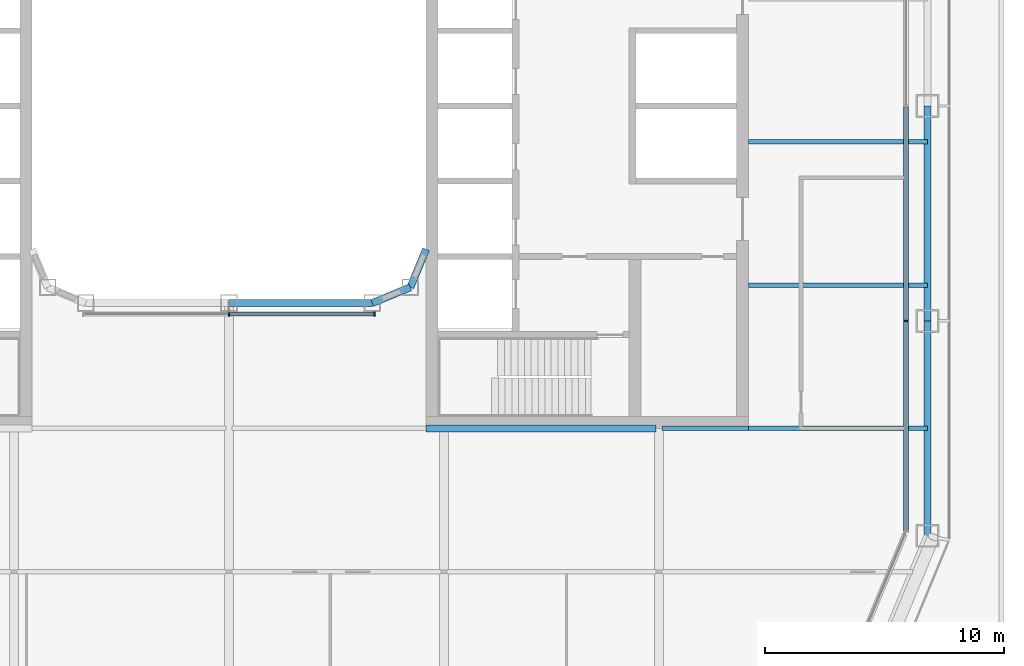
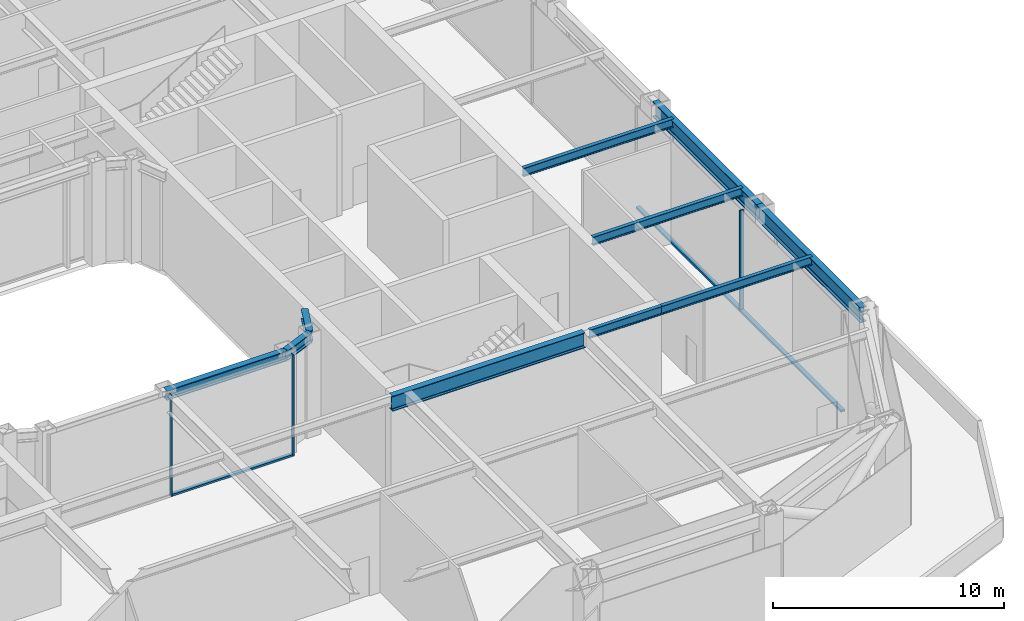
# One storey, part 5 of 21: 10 beams, 6 members, 2 elements without a shape of their own.
"""IFC4 building model written with IfcOpenShell, lengths in metres."""

from ifc_helpers import new_model, si_unit, direction, frame, origin, origin_2d, place, context, subcontext, project, spatial, rectangle, i_section, extrude, material, layer, layer_set, material_profile, profile_set, type_object, element, aggregate, save


model = new_model("IFC4")

# Units and contexts
model_context = context("Model", 3, precision=1e-05, world=origin(), true_north=direction((0.0, 1.0)))
body_context = subcontext(model_context, "Body", "Model", "MODEL_VIEW")
ifc_project = project(units=[si_unit("LENGTHUNIT", "METRE"), si_unit("AREAUNIT", "SQUARE_METRE"), si_unit("VOLUMEUNIT", "CUBIC_METRE"), si_unit("PLANEANGLEUNIT", "RADIAN"), si_unit("MASSUNIT", "GRAM", prefix="KILO")], contexts=[model_context])

# Site, building, storey
site_placement = place(None, origin())
site = spatial("IfcSite", under=ifc_project, at=site_placement, CompositionType="ELEMENT")
building_placement = place(site_placement, origin())
building = spatial("IfcBuilding", under=site, at=building_placement, Name="Siwar Civic Tower", CompositionType="ELEMENT")
storey_placement = place(building_placement, frame((0.0, 0.0, 99.199951171875)))
storey = spatial("IfcBuildingStorey", under=building, at=storey_placement, Name="L21", CompositionType="ELEMENT", Elevation=99.199951171875)

# Curtain wall, member
ifc_material_1 = material(Name="Aluminium and glass", Category="aluminium")
ifc_layer_1 = layer(ifc_material_1, 0.199951171875)
ifc_layer_set_1 = layer_set([ifc_layer_1], Name="Aluminium and glass")
curtain_wall_type_1 = type_object("IfcCurtainWallType", Name="ENV-CW-B", PredefinedType="NOTDEFINED", material=ifc_layer_set_1)
curtain_wall_1_placement = place(storey_placement, origin())
curtain_wall_1 = element("IfcCurtainWall", 1, at=curtain_wall_1_placement, inside=storey, type_object=curtain_wall_type_1, Name="Curtain wall B E", PredefinedType="NOTDEFINED")
ifc_material_2 = material(Name="Aluminium 6063-T6", Category="aluminium")
ifc_material_profile_1 = material_profile(ifc_material_2, rectangle(XDim=0.199951171875, YDim=0.06494140625, at=origin_2d()), Name="AL 200x65")
ifc_profile_set_1 = profile_set([ifc_material_profile_1], Name="Aluminium 6063-T6")
member_type_1 = type_object("IfcMemberType", Name="ENV-MULLION-B", PredefinedType="MULLION", material=ifc_profile_set_1)
member_1_placement = place(storey_placement, frame((28.35009765625, -9.0, 0.0), z_axis=(0.0, 0.0, 1.0), x_axis=(-1.0, 0.0, 0.0)))
member_1 = element("IfcMember", 2, at=member_1_placement, type_object=member_type_1, Name="Mullion B E 2", PredefinedType="MULLION", context=body_context, shape_type="SweptSolid", body=[
    extrude(rectangle(XDim=0.199951171875, YDim=0.06494140625, at=origin_2d()), origin(), (0.0, 0.0, 1.0), 5.35009765625),
])

# Curtain wall, members
ifc_material_3 = material(Name="Aluminium and glass", Category="aluminium")
ifc_layer_2 = layer(ifc_material_3, 0.179931640625)
ifc_layer_set_2 = layer_set([ifc_layer_2], Name="Aluminium and glass")
curtain_wall_type_2 = type_object("IfcCurtainWallType", Name="ENV-CW-W", PredefinedType="NOTDEFINED", material=ifc_layer_set_2)
curtain_wall_2_placement = place(storey_placement, origin())
curtain_wall_2 = element("IfcCurtainWall", 3, at=curtain_wall_2_placement, inside=storey, type_object=curtain_wall_type_2, Name="Curtain wall W WS", PredefinedType="NOTDEFINED")
ifc_material_4 = material(Name="Aluminium 6063-T6", Category="aluminium")
ifc_material_profile_2 = material_profile(ifc_material_4, rectangle(XDim=0.179931640625, YDim=0.06005859375, at=origin_2d()), Name="AL 180x60")
ifc_profile_set_2 = profile_set([ifc_material_profile_2], Name="Aluminium 6063-T6")
member_type_2 = type_object("IfcMemberType", Name="ENV-MULLION-W", PredefinedType="MULLION", material=ifc_profile_set_2)
member_2_placement = place(storey_placement, frame((0.0, -8.7099609375, 0.0), z_axis=(0.0, 0.0, 1.0), x_axis=(0.0, 1.0, 0.0)))
member_2 = element("IfcMember", 4, at=member_2_placement, type_object=member_type_2, Name="Mullion W WS 2", PredefinedType="MULLION", context=body_context, shape_type="SweptSolid", body=[
    extrude(rectangle(XDim=0.179931640625, YDim=0.06005859375, at=origin_2d()), origin(), (0.0, 0.0, 1.0), 5.35009765625),
])
member_3_placement = place(storey_placement, frame((6.091552734375, -8.7099609375, 0.0), z_axis=(0.0, 0.0, 1.0), x_axis=(0.0, 1.0, 0.0)))
member_3 = element("IfcMember", 5, at=member_3_placement, type_object=member_type_2, Name="Mullion W WS 3", PredefinedType="MULLION", context=body_context, shape_type="SweptSolid", body=[
    extrude(rectangle(XDim=0.179931640625, YDim=0.06005859375, at=origin_2d()), origin(), (0.0, 0.0, 1.0), 5.35009765625),
])

# Member
ifc_material_5 = material(Name="Aluminium 6063-T6", Category="aluminium")
ifc_material_profile_3 = material_profile(ifc_material_5, rectangle(XDim=0.199951171875, YDim=0.110107421875, at=origin_2d()), Name="AL 200x110")
ifc_profile_set_3 = profile_set([ifc_material_profile_3], Name="Aluminium 6063-T6")
member_type_3 = type_object("IfcMemberType", Name="ENV-TRANSOM-B", PredefinedType="USERDEFINED", material=ifc_profile_set_3)
member_4_placement = place(storey_placement, frame((28.35009765625, -17.78857421875, 0.054931640625), z_axis=(0.0, 1.0, 0.0), x_axis=(-1.0, 0.0, 0.0)))
member_4 = element("IfcMember", 6, at=member_4_placement, type_object=member_type_3, Name="Transom B E 1", ObjectType="TRANSOM", PredefinedType="USERDEFINED", context=body_context, shape_type="SweptSolid", body=[
    extrude(rectangle(XDim=0.199951171875, YDim=0.110107421875, at=origin_2d()), origin(), (0.0, 0.0, 1.0), 8.756103515625),
])

member_5_placement = place(storey_placement, frame((28.35009765625, -8.967529296875, 0.054931640625), z_axis=(0.0, 1.0, 0.0), x_axis=(-1.0, 0.0, 0.0)))
member_5 = element("IfcMember", 7, at=member_5_placement, type_object=member_type_3, Name="Transom B E 2", ObjectType="TRANSOM", PredefinedType="USERDEFINED", context=body_context, shape_type="SweptSolid", body=[
    extrude(rectangle(XDim=0.199951171875, YDim=0.110107421875, at=origin_2d()), origin(), (0.0, 0.0, 1.0), 8.93505859375),
])

aggregate(curtain_wall_1, [member_1, member_4, member_5])

ifc_material_6 = material(Name="Aluminium 6063-T6", Category="aluminium")
ifc_material_profile_4 = material_profile(ifc_material_6, rectangle(XDim=0.179931640625, YDim=0.10009765625, at=origin_2d()), Name="AL 180x100")
ifc_profile_set_4 = profile_set([ifc_material_profile_4], Name="Aluminium 6063-T6")
member_type_4 = type_object("IfcMemberType", Name="ENV-TRANSOM-W", PredefinedType="USERDEFINED", material=ifc_profile_set_4)
member_6_placement = place(storey_placement, frame((0.030029296875, -8.7099609375, 0.050048828125), z_axis=(1.0, 0.0, 0.0), x_axis=(0.0, 1.0, 0.0)))
member_6 = element("IfcMember", 8, at=member_6_placement, type_object=member_type_4, Name="Transom W WS 2", ObjectType="TRANSOM", PredefinedType="USERDEFINED", context=body_context, shape_type="SweptSolid", body=[
    extrude(rectangle(XDim=0.179931640625, YDim=0.10009765625, at=origin_2d()), origin(), (0.0, 0.0, 1.0), 6.031494140625),
])

aggregate(curtain_wall_2, [member_2, member_3, member_6])

# Beams
ifc_material_7 = material(Name="Steel S355", Category="steel")
ifc_material_profile_5 = material_profile(ifc_material_7, i_section(OverallWidth=0.18994140625, OverallDepth=0.449951171875, WebThickness=0.009521484375, FlangeThickness=0.0146484375, FilletRadius=0.02099609375, at=origin_2d()), Name="IPE450")
ifc_profile_set_5 = profile_set([ifc_material_profile_5], Name="Steel S355")
beam_type_1 = type_object("IfcBeamType", Name="STR-FB-IPE450", PredefinedType="JOIST", material=ifc_profile_set_5)
beam_1_placement = place(storey_placement, frame((18.1298828125, -13.5, 5.125), z_axis=(1.0, 0.0, 0.0), x_axis=(0.0, 1.0, 0.0)))
element("IfcBeam", 9, at=beam_1_placement, inside=storey, type_object=beam_type_1, Name="L21/bm/F019", PredefinedType="JOIST", context=body_context, shape_type="SweptSolid", body=[
    extrude(i_section(OverallWidth=0.18994140625, OverallDepth=0.449951171875, WebThickness=0.009521484375, FlangeThickness=0.0146484375, FilletRadius=0.02099609375, at=origin_2d()), origin(), (0.0, 0.0, 1.0), 3.6201171875),
])
for number, where, z_axis, x_axis, name in (
    (10, (21.75, -13.5, 5.125), (1.0, 0.0, 0.0), (0.0, 1.0, 0.0), "L21/bm/F020"),
    (11, (21.75, -7.5, 5.125), (1.0, 0.0, 0.0), (0.0, 1.0, 0.0), "L21/bm/F022"),
    (12, (21.75, -1.5, 5.125), (1.0, 0.0, 0.0), (0.0, 1.0, 0.0), "L21/bm/F024"),
):
    element("IfcBeam", number, at=place(storey_placement, frame(where, z_axis=z_axis, x_axis=x_axis)), inside=storey, type_object=beam_type_1, Name=name, PredefinedType="JOIST", context=body_context, shape_type="SweptSolid", body=[
        extrude(i_section(OverallWidth=0.18994140625, OverallDepth=0.449951171875, WebThickness=0.009521484375, FlangeThickness=0.0146484375, FilletRadius=0.02099609375, at=origin_2d()), origin(), (0.0, 0.0, 1.0), 7.5),
    ])
ifc_material_8 = material(Name="Steel S355", Category="steel")
ifc_material_profile_6 = material_profile(ifc_material_8, i_section(OverallWidth=0.300048828125, OverallDepth=0.800048828125, WebThickness=0.017578125, FlangeThickness=0.032958984375, FilletRadius=0.030029296875, at=origin_2d()), Name="HEB800")
ifc_profile_set_6 = profile_set([ifc_material_profile_6], Name="Steel S355")
beam_type_2 = type_object("IfcBeamType", Name="STR-PG-HEB800", PredefinedType="BEAM", material=ifc_profile_set_6)
beam_2_placement = place(storey_placement, frame((8.25, -13.5, 4.949951171875), z_axis=(1.0, 0.0, 0.0), x_axis=(0.0, 1.0, 0.0)))
element("IfcBeam", 13, at=beam_2_placement, inside=storey, type_object=beam_type_2, Name="L21/bm/F018", PredefinedType="BEAM", context=body_context, shape_type="SweptSolid", body=[
    extrude(i_section(OverallWidth=0.300048828125, OverallDepth=0.800048828125, WebThickness=0.017578125, FlangeThickness=0.032958984375, FilletRadius=0.030029296875, at=origin_2d()), origin(), (0.0, 0.0, 1.0), 9.6201171875),
])
ifc_material_9 = material(Name="Steel S355", Category="steel")
ifc_material_profile_7 = material_profile(ifc_material_9, i_section(OverallWidth=0.305908203125, OverallDepth=0.52392578125, WebThickness=0.02099609375, FlangeThickness=0.0400390625, FilletRadius=0.027099609375, at=origin_2d()), Name="HEM500")
ifc_profile_set_7 = profile_set([ifc_material_profile_7], Name="Steel S355")
beam_type_3 = type_object("IfcBeamType", Name="STR-RB-HEM500", PredefinedType="BEAM", material=ifc_profile_set_7)
beam_3_placement = place(storey_placement, frame((0.0, -8.25, 5.088134765625), z_axis=(1.0, 0.0, 0.0), x_axis=(0.0, 1.0, 0.0)))
element("IfcBeam", 14, at=beam_3_placement, inside=storey, type_object=beam_type_3, Name="L21/bm/RS2", PredefinedType="BEAM", context=body_context, shape_type="SweptSolid", body=[
    extrude(i_section(OverallWidth=0.305908203125, OverallDepth=0.52392578125, WebThickness=0.02099609375, FlangeThickness=0.0400390625, FilletRadius=0.027099609375, at=origin_2d()), origin(), (0.0, 0.0, 1.0), 6.0),
])
for number, where, z_axis, x_axis, name in (
    (15, (6.0, -8.25, 5.088134765625), (0.923901072997, 0.382631424892, 0.0), (-0.382631424892, 0.923901072997, 0.0), "L21/bm/RS3"),
    (16, (7.591064453125, -7.591064453125, 5.088134765625), (0.382631424892, 0.923901072997, 0.0), (-0.923901072997, 0.382631424892, 0.0), "L21/bm/RSEE"),
):
    element("IfcBeam", number, at=place(storey_placement, frame(where, z_axis=z_axis, x_axis=x_axis)), inside=storey, type_object=beam_type_3, Name=name, PredefinedType="BEAM", context=body_context, shape_type="SweptSolid", body=[
        extrude(i_section(OverallWidth=0.305908203125, OverallDepth=0.52392578125, WebThickness=0.02099609375, FlangeThickness=0.0400390625, FilletRadius=0.027099609375, at=origin_2d()), origin(), (0.0, 0.0, 1.0), 1.72216796875),
    ])
ifc_material_10 = material(Name="Steel S355", Category="steel")
ifc_material_profile_8 = material_profile(ifc_material_10, i_section(OverallWidth=0.300048828125, OverallDepth=0.800048828125, WebThickness=0.017578125, FlangeThickness=0.032958984375, FilletRadius=0.030029296875, at=origin_2d()), Name="HEB800")
ifc_profile_set_8 = profile_set([ifc_material_profile_8], Name="Steel S355")
beam_type_4 = type_object("IfcBeamType", Name="STR-SB-HEB800", PredefinedType="BEAM", material=ifc_profile_set_8)
for number, where, z_axis, x_axis, name in (
    (17, (29.25, -18.0, 4.949951171875), (0.0, 1.0, 0.0), (-1.0, 0.0, 0.0), "L21/bm/SE-0"),
    (18, (29.25, -9.0, 4.949951171875), (0.0, 1.0, 0.0), (-1.0, 0.0, 0.0), "L21/bm/SE-1"),
):
    element("IfcBeam", number, at=place(storey_placement, frame(where, z_axis=z_axis, x_axis=x_axis)), inside=storey, type_object=beam_type_4, Name=name, PredefinedType="BEAM", context=body_context, shape_type="SweptSolid", body=[
        extrude(i_section(OverallWidth=0.300048828125, OverallDepth=0.800048828125, WebThickness=0.017578125, FlangeThickness=0.032958984375, FilletRadius=0.030029296875, at=origin_2d()), origin(), (0.0, 0.0, 1.0), 9.0),
    ])

save(model, "model.ifc")
